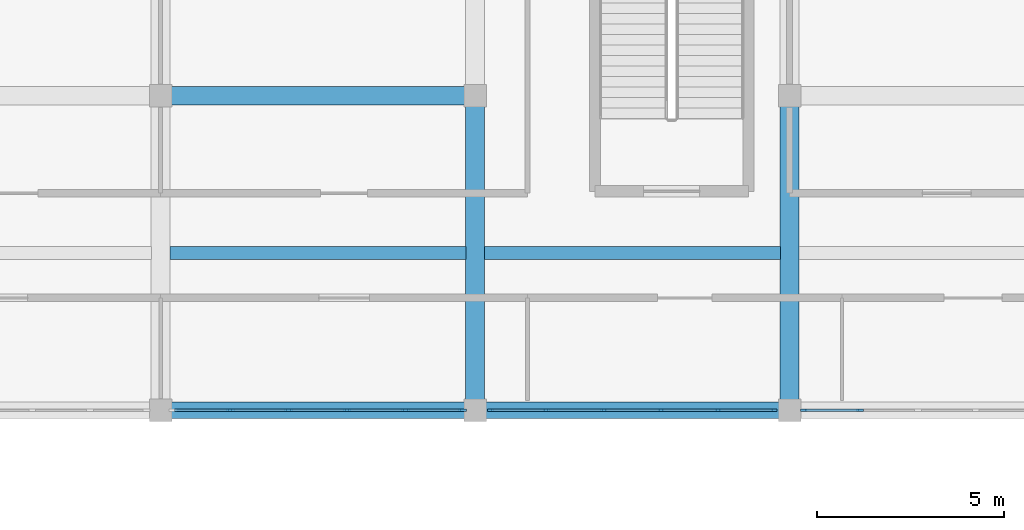
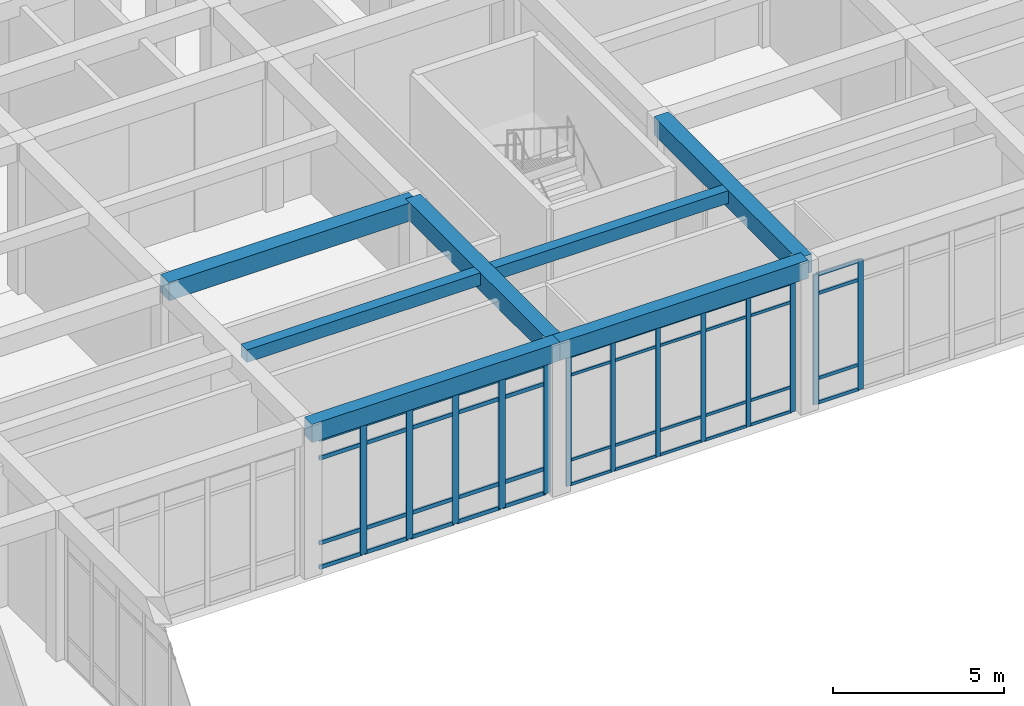
# One storey, part 36 of 89: 57 members, 7 beams, 3 elements without a shape of their own.
"""IFC4 building model written with IfcOpenShell, lengths in metres."""

import ifcopenshell
import ifcopenshell.guid

model = None  # the IFC model being written
_history = None  # IfcOwnerHistory: only IFC2X3 demands one
_inside = {}  # id of a spatial element -> (the spatial element, [elements in it])
_under = {}  # id of a project, library or spatial element -> (it, [spatial elements below it])
_declared = {}  # id of a project -> (the project, [libraries it declares])
_typed = {}  # id of a type object -> (the type object, [elements of that type])
_made_of = {}  # id of a material, layer set ... -> (it, [elements and type objects made of it])


def new_model(schema):
    """Start an empty IFC model of exactly this schema.

    Asked for "IFC4X3", IfcOpenShell would pick the latest addendum, in which some entities
    have other attributes; the version numbers below select the first issue.
    IFC2X3 requires an IfcOwnerHistory on every rooted entity: one is made here for all.
    """
    global model, _history
    if schema == "IFC4X3":
        model = ifcopenshell.file(schema_version=(4, 3, 0, 0))
    else:
        model = ifcopenshell.file(schema=schema)
    _inside.clear()
    _under.clear()
    _declared.clear()
    _typed.clear()
    _made_of.clear()
    _history = None
    if model.schema == "IFC2X3":
        org = make("IfcOrganization", Name="unknown")
        user = make(
            "IfcPersonAndOrganization",
            ThePerson=make("IfcPerson", FamilyName="unknown"),
            TheOrganization=org,
        )
        app = make(
            "IfcApplication",
            ApplicationDeveloper=org,
            Version="unknown",
            ApplicationFullName="unknown",
            ApplicationIdentifier="unknown",
        )
        _history = make(
            "IfcOwnerHistory",
            OwningUser=user,
            OwningApplication=app,
            ChangeAction="ADDED",
            CreationDate=0,
        )
    return model


def make(cls, **values):
    """One entity of the class cls with the attributes given. An attribute that is None is left unset."""
    return model.create_entity(
        cls, **{name: value for name, value in values.items() if value is not None}
    )


def rooted(cls, **values):
    """An entity with a GlobalId (a new one), such as an element, a storey or a relation."""
    return make(cls, GlobalId=ifcopenshell.guid.new(), OwnerHistory=_history, **values)


def si_unit(unit_type, name, prefix=None):
    """IfcSIUnit, for example si_unit("LENGTHUNIT", "METRE", prefix="MILLI")."""
    return make("IfcSIUnit", UnitType=unit_type, Prefix=prefix, Name=name)


def assignment(units):
    """IfcUnitAssignment: the units of a project."""
    return None if units is None else make("IfcUnitAssignment", Units=units)


def point(xyz):
    """IfcCartesianPoint."""
    return None if xyz is None else make("IfcCartesianPoint", Coordinates=xyz)


def direction(xyz):
    """IfcDirection."""
    return None if xyz is None else make("IfcDirection", DirectionRatios=xyz)


def frame(location, z_axis=None, x_axis=None):
    """IfcAxis2Placement3D, a coordinate frame: its origin and axes. An axis left out is left unset."""
    return make(
        "IfcAxis2Placement3D",
        Location=point(location),
        Axis=direction(z_axis),
        RefDirection=direction(x_axis),
    )


def frame_2d(location, x_axis=None):
    """IfcAxis2Placement2D, a coordinate frame in the plane: its origin and x axis."""
    return make(
        "IfcAxis2Placement2D", Location=point(location), RefDirection=direction(x_axis)
    )


def origin():
    """The frame at (0, 0, 0) with its axes left unset."""
    return frame((0.0, 0.0, 0.0))


def origin_2d():
    """The frame at (0, 0) in the plane with its x axis left unset."""
    return frame_2d((0.0, 0.0))


def place(relative_to, where):
    """IfcLocalPlacement: puts the frame where relative to a parent placement (None: the world)."""
    return make(
        "IfcLocalPlacement", PlacementRelTo=relative_to, RelativePlacement=where
    )


def context(
    kind, dimensions, precision=None, world=None, true_north=None, identifier=None
):
    """IfcGeometricRepresentationContext, for example the 3D "Model" context."""
    return make(
        "IfcGeometricRepresentationContext",
        ContextIdentifier=identifier,
        ContextType=kind,
        CoordinateSpaceDimension=dimensions,
        Precision=precision,
        WorldCoordinateSystem=world,
        TrueNorth=true_north,
    )


def subcontext(parent, identifier, kind, view, scale=None):
    """IfcGeometricRepresentationSubContext, for example "Body" below "Model"."""
    return make(
        "IfcGeometricRepresentationSubContext",
        ContextIdentifier=identifier,
        ContextType=kind,
        ParentContext=parent,
        TargetScale=scale,
        TargetView=view,
    )


def project(units=None, contexts=None):
    """IfcProject with its units and contexts."""
    return rooted(
        "IfcProject",
        Name="project",
        RepresentationContexts=contexts,
        UnitsInContext=assignment(units),
    )


def spatial(cls, under=None, at=None, **own):
    """A site, building, storey or space (cls), placed at a placement, below another one or the project."""
    s = rooted(cls, ObjectPlacement=at, **own)
    if under is not None:
        _under.setdefault(under.id(), (under, []))[1].append(s)
    return s


def profile(cls, at=None, kind="AREA", **sizes):
    """A parametric profile (cls). Its sizes go by their IFC names, for example OverallWidth=200.0."""
    return make(cls, ProfileType=kind, Position=at, **sizes)


def rectangle(**sizes):
    """IfcRectangleProfileDef."""
    return profile("IfcRectangleProfileDef", **sizes)


def extrude(swept, where, along, depth):
    """IfcExtrudedAreaSolid: the profile swept, set in the frame where, extruded along a direction by depth."""
    return make(
        "IfcExtrudedAreaSolid",
        SweptArea=swept,
        Position=where,
        ExtrudedDirection=direction(along),
        Depth=depth,
    )


def shape(context_of_items, identifier, shape_type, items):
    """IfcShapeRepresentation: the items that make up one representation, for example the "Body"."""
    return make(
        "IfcShapeRepresentation",
        ContextOfItems=context_of_items,
        RepresentationIdentifier=identifier,
        RepresentationType=shape_type,
        Items=items,
    )


def material(Name=None, Category=None):
    """IfcMaterial."""
    return make("IfcMaterial", Name=Name, Category=Category)


def material_profile(
    of_material, cross_section, Name=None, Category=None, Priority=None
):
    """IfcMaterialProfile: a cross section and its material."""
    return make(
        "IfcMaterialProfile",
        Name=Name,
        Material=of_material,
        Profile=cross_section,
        Priority=Priority,
        Category=Category,
    )


def profile_set(profiles, Name=None, composite=None):
    """IfcMaterialProfileSet."""
    return make(
        "IfcMaterialProfileSet",
        Name=Name,
        MaterialProfiles=profiles,
        CompositeProfile=composite,
    )


def made_of(thing, what):
    """Note that an element or type object is made of a material, layer set ...; save() writes the relation."""
    if what is not None:
        _made_of.setdefault(what.id(), (what, []))[1].append(thing)
    return thing


def type_object(cls, material=None, **own):
    """A type object (cls), such as IfcWallType, which elements share."""
    return made_of(rooted(cls, **own), material)


def element(
    cls,
    number,
    at=None,
    inside=None,
    cuts=None,
    type_object=None,
    material=None,
    context=None,
    identifier="Body",
    shape_type=None,
    held_by="IfcProductDefinitionShape",
    body=None,
    shapes=None,
    **own,
):
    """One element of the class cls, such as IfcWall. Its Tag is "e" and its number.

    at: its placement. inside: the storey or other place that contains it. cuts: it is an
    opening in that element (IfcRelVoidsElement). A single representation is given by context,
    identifier, shape_type and body (its items); several are given by shapes. held_by: the class
    of the entity that holds the representations. save() writes the other relations.
    """
    e = rooted(cls, Tag="e%d" % number, ObjectPlacement=at, **own)
    if body is not None:
        shapes = [shape(context, identifier, shape_type, body)]
    if shapes is not None:
        e.Representation = make(held_by, Representations=shapes)
    if inside is not None:
        _inside.setdefault(inside.id(), (inside, []))[1].append(e)
    if cuts is not None:
        rooted(
            "IfcRelVoidsElement", RelatingBuildingElement=cuts, RelatedOpeningElement=e
        )
    if type_object is not None:
        _typed.setdefault(type_object.id(), (type_object, []))[1].append(e)
    return made_of(e, material)


def aggregate(whole, parts):
    """IfcRelAggregates: a whole, such as a stair, and the parts it consists of."""
    return rooted("IfcRelAggregates", RelatingObject=whole, RelatedObjects=parts)


def save(model, path):
    """Write the relations noted so far, then the file.

    IfcRelAggregates (storeys below a building ...), IfcRelContainedInSpatialStructure (elements
    in a storey), IfcRelDefinesByType, IfcRelAssociatesMaterial and IfcRelDeclares: one each for
    every whole, place, type object, material and project.
    """
    for whole, parts in _under.values():
        aggregate(whole, parts)
    for where, things in _inside.values():
        rooted(
            "IfcRelContainedInSpatialStructure",
            RelatedElements=things,
            RelatingStructure=where,
        )
    for kind, things in _typed.values():
        rooted("IfcRelDefinesByType", RelatedObjects=things, RelatingType=kind)
    for what, things in _made_of.values():
        rooted("IfcRelAssociatesMaterial", RelatedObjects=things, RelatingMaterial=what)
    for by, libraries in _declared.values():
        rooted("IfcRelDeclares", RelatingContext=by, RelatedDefinitions=libraries)
    model.write(path)


model = new_model("IFC4")

# Units and contexts
model_context = context("Model", 3, precision=1e-05, world=origin(), true_north=direction((0.0, 1.0)))
body_context = subcontext(model_context, "Body", "Model", "MODEL_VIEW")
ifc_project = project(units=[si_unit("LENGTHUNIT", "METRE"), si_unit("AREAUNIT", "SQUARE_METRE"), si_unit("VOLUMEUNIT", "CUBIC_METRE"), si_unit("PLANEANGLEUNIT", "RADIAN"), si_unit("MASSUNIT", "GRAM", prefix="KILO")], contexts=[model_context])

# Site, building, storey
site_placement = place(None, origin())
site = spatial("IfcSite", under=ifc_project, at=site_placement, CompositionType="ELEMENT")
building_placement = place(site_placement, origin())
building = spatial("IfcBuilding", under=site, at=building_placement, Name="Varncliffe General Hospital", CompositionType="ELEMENT")
storey_placement = place(building_placement, frame((0.0, 0.0, 10.800048828125)))
storey = spatial("IfcBuildingStorey", under=building, at=storey_placement, Name="L02", CompositionType="ELEMENT", Elevation=10.800048828125)

# Beams
ifc_material_1 = material(Name="Concrete C35/45 (CSA A23.1 35 MPa)", Category="concrete")
ifc_material_profile_1 = material_profile(ifc_material_1, rectangle(XDim=0.5, YDim=0.64990234375, at=origin_2d()), Name="RC 500x650")
ifc_profile_set_1 = profile_set([ifc_material_profile_1], Name="Concrete C35/45 (CSA A23.1 35 MPa)")
beam_type_1 = type_object("IfcBeamType", Name="Beam B29 (Int RC 500x650)", PredefinedType="BEAM", material=ifc_profile_set_1)
for number, where, z_axis, x_axis, name in (
    (1, (126.0, 91.199951171875, 5.074951171875), (1.0, 0.0, 0.0), (0.0, 1.0, 0.0), "L02 Primary Beam B29-126"),
    (2, (134.39990234375, 82.800048828125, 5.074951171875), (0.0, 1.0, 0.0), (-1.0, 0.0, 0.0), "L02 Primary Beam B29-413"),
    (3, (142.800048828125, 82.800048828125, 5.074951171875), (0.0, 1.0, 0.0), (-1.0, 0.0, 0.0), "L02 Primary Beam B29-422"),
):
    element("IfcBeam", number, at=place(storey_placement, frame(where, z_axis=z_axis, x_axis=x_axis)), inside=storey, type_object=beam_type_1, Name=name, PredefinedType="BEAM", context=body_context, shape_type="SweptSolid", body=[
        extrude(rectangle(XDim=0.5, YDim=0.64990234375, at=origin_2d()), origin(), (0.0, 0.0, 1.0), 8.39990234375),
    ])

# Curtain wall, members
ifc_material_2 = material(Name="Triple low-E argon insulated vision glazing", Category="glass")
curtain_wall_type_1 = type_object("IfcCurtainWallType", Name="Unitised Glazed Curtain Wall CW70 (7724x4640)", PredefinedType="USERDEFINED", material=ifc_material_2)
curtain_wall_1_placement = place(storey_placement, origin())
curtain_wall_1 = element("IfcCurtainWall", 4, at=curtain_wall_1_placement, inside=storey, type_object=curtain_wall_type_1, Name="L02 Glazed Curtain Wall CW70-127", ObjectType="GLAZED CURTAIN WALL", PredefinedType="USERDEFINED")
ifc_material_3 = material(Name="Dark bronze thermally broken aluminium framing", Category="aluminium")
ifc_material_profile_2 = material_profile(ifc_material_3, rectangle(XDim=0.074951171875, YDim=0.179931640625, at=origin_2d()), Name="ALU 75x180")
ifc_profile_set_2 = profile_set([ifc_material_profile_2], Name="Dark bronze thermally broken aluminium framing")
member_type_1 = type_object("IfcMemberType", Name="Curtain Wall Mullion CM44 (ALU 75x180)", PredefinedType="MULLION", material=ifc_profile_set_2)
member_1_placement = place(storey_placement, frame((144.682861328125, 82.800048828125, 0.0), z_axis=(0.0, 0.0, 1.0), x_axis=(0.0, -1.0, 0.0)))
member_1 = element("IfcMember", 5, at=member_1_placement, type_object=member_type_1, Name="CW70 mullion 5", PredefinedType="MULLION", context=body_context, shape_type="SweptSolid", body=[
    extrude(rectangle(XDim=0.074951171875, YDim=0.179931640625, at=origin_2d()), origin(), (0.0, 0.0, 1.0), 4.639892578125),
])
member_2_placement = place(storey_placement, frame((143.175537109375, 82.800048828125, 0.0), z_axis=(0.0, 0.0, 1.0), x_axis=(0.0, -1.0, 0.0)))
member_2 = element("IfcMember", 6, at=member_2_placement, type_object=member_type_1, Name="CW70 mullion 6", PredefinedType="MULLION", context=body_context, shape_type="SweptSolid", body=[
    extrude(rectangle(XDim=0.074951171875, YDim=0.179931640625, at=origin_2d()), origin(), (0.0, 0.0, 1.0), 4.639892578125),
])

curtain_wall_type_2 = type_object("IfcCurtainWallType", Name="Unitised Glazed Curtain Wall CW27 (7644x4640)", PredefinedType="USERDEFINED", material=ifc_material_2)
curtain_wall_2_placement = place(storey_placement, origin())
curtain_wall_2 = element("IfcCurtainWall", 7, at=curtain_wall_2_placement, inside=storey, type_object=curtain_wall_type_2, Name="L02 Glazed Curtain Wall CW27-128", ObjectType="GLAZED CURTAIN WALL", PredefinedType="USERDEFINED")
ifc_material_profile_3 = material_profile(ifc_material_3, rectangle(XDim=0.06494140625, YDim=0.159912109375, at=origin_2d()), Name="ALU 65x160")
ifc_profile_set_3 = profile_set([ifc_material_profile_3], Name="Dark bronze thermally broken aluminium framing")
member_type_2 = type_object("IfcMemberType", Name="Curtain Wall Mullion CM65 (ALU 65x160)", PredefinedType="MULLION", material=ifc_profile_set_3)
member_3_placement = place(storey_placement, frame((142.389404296875, 82.800048828125, 0.0), z_axis=(0.0, 0.0, 1.0), x_axis=(0.0, -1.0, 0.0)))
member_3 = element("IfcMember", 8, at=member_3_placement, type_object=member_type_2, Name="CW27 mullion 1", PredefinedType="MULLION", context=body_context, shape_type="SweptSolid", body=[
    extrude(rectangle(XDim=0.06494140625, YDim=0.159912109375, at=origin_2d()), origin(), (0.0, 0.0, 1.0), 4.639892578125),
])
member_4_placement = place(storey_placement, frame((140.893310546875, 82.800048828125, 0.0), z_axis=(0.0, 0.0, 1.0), x_axis=(0.0, -1.0, 0.0)))
member_4 = element("IfcMember", 9, at=member_4_placement, type_object=member_type_2, Name="CW27 mullion 2", PredefinedType="MULLION", context=body_context, shape_type="SweptSolid", body=[
    extrude(rectangle(XDim=0.06494140625, YDim=0.159912109375, at=origin_2d()), origin(), (0.0, 0.0, 1.0), 4.639892578125),
])
member_5_placement = place(storey_placement, frame((139.364501953125, 82.800048828125, 0.0), z_axis=(0.0, 0.0, 1.0), x_axis=(0.0, -1.0, 0.0)))
member_5 = element("IfcMember", 10, at=member_5_placement, type_object=member_type_2, Name="CW27 mullion 3", PredefinedType="MULLION", context=body_context, shape_type="SweptSolid", body=[
    extrude(rectangle(XDim=0.06494140625, YDim=0.159912109375, at=origin_2d()), origin(), (0.0, 0.0, 1.0), 4.639892578125),
])
member_6_placement = place(storey_placement, frame((137.835693359375, 82.800048828125, 0.0), z_axis=(0.0, 0.0, 1.0), x_axis=(0.0, -1.0, 0.0)))
member_6 = element("IfcMember", 11, at=member_6_placement, type_object=member_type_2, Name="CW27 mullion 4", PredefinedType="MULLION", context=body_context, shape_type="SweptSolid", body=[
    extrude(rectangle(XDim=0.06494140625, YDim=0.159912109375, at=origin_2d()), origin(), (0.0, 0.0, 1.0), 4.639892578125),
])
member_7_placement = place(storey_placement, frame((136.306884765625, 82.800048828125, 0.0), z_axis=(0.0, 0.0, 1.0), x_axis=(0.0, -1.0, 0.0)))
member_7 = element("IfcMember", 12, at=member_7_placement, type_object=member_type_2, Name="CW27 mullion 5", PredefinedType="MULLION", context=body_context, shape_type="SweptSolid", body=[
    extrude(rectangle(XDim=0.06494140625, YDim=0.159912109375, at=origin_2d()), origin(), (0.0, 0.0, 1.0), 4.639892578125),
])
member_8_placement = place(storey_placement, frame((134.810546875, 82.800048828125, 0.0), z_axis=(0.0, 0.0, 1.0), x_axis=(0.0, -1.0, 0.0)))
member_8 = element("IfcMember", 13, at=member_8_placement, type_object=member_type_2, Name="CW27 mullion 6", PredefinedType="MULLION", context=body_context, shape_type="SweptSolid", body=[
    extrude(rectangle(XDim=0.06494140625, YDim=0.159912109375, at=origin_2d()), origin(), (0.0, 0.0, 1.0), 4.639892578125),
])

curtain_wall_type_3 = type_object("IfcCurtainWallType", Name="Unitised Glazed Curtain Wall CW85 (7804x4640)", PredefinedType="USERDEFINED", material=ifc_material_2)
curtain_wall_3_placement = place(storey_placement, origin())
curtain_wall_3 = element("IfcCurtainWall", 14, at=curtain_wall_3_placement, inside=storey, type_object=curtain_wall_type_3, Name="L02 Glazed Curtain Wall CW85-129", ObjectType="GLAZED CURTAIN WALL", PredefinedType="USERDEFINED")
ifc_material_profile_4 = material_profile(ifc_material_3, rectangle(XDim=0.074951171875, YDim=0.219970703125, at=origin_2d()), Name="ALU 75x220")
ifc_profile_set_4 = profile_set([ifc_material_profile_4], Name="Dark bronze thermally broken aluminium framing")
member_type_3 = type_object("IfcMemberType", Name="Curtain Wall Mullion CM74 (ALU 75x220)", PredefinedType="MULLION", material=ifc_profile_set_4)
member_9_placement = place(storey_placement, frame((134.064453125, 82.800048828125, 0.0), z_axis=(0.0, 0.0, 1.0), x_axis=(0.0, -1.0, 0.0)))
member_9 = element("IfcMember", 15, at=member_9_placement, type_object=member_type_3, Name="CW85 mullion 1", PredefinedType="MULLION", context=body_context, shape_type="SweptSolid", body=[
    extrude(rectangle(XDim=0.074951171875, YDim=0.219970703125, at=origin_2d()), origin(), (0.0, 0.0, 1.0), 4.639892578125),
])
member_10_placement = place(storey_placement, frame((132.541259765625, 82.800048828125, 0.0), z_axis=(0.0, 0.0, 1.0), x_axis=(0.0, -1.0, 0.0)))
member_10 = element("IfcMember", 16, at=member_10_placement, type_object=member_type_3, Name="CW85 mullion 2", PredefinedType="MULLION", context=body_context, shape_type="SweptSolid", body=[
    extrude(rectangle(XDim=0.074951171875, YDim=0.219970703125, at=origin_2d()), origin(), (0.0, 0.0, 1.0), 4.639892578125),
])
member_11_placement = place(storey_placement, frame((130.98046875, 82.800048828125, 0.0), z_axis=(0.0, 0.0, 1.0), x_axis=(0.0, -1.0, 0.0)))
member_11 = element("IfcMember", 17, at=member_11_placement, type_object=member_type_3, Name="CW85 mullion 3", PredefinedType="MULLION", context=body_context, shape_type="SweptSolid", body=[
    extrude(rectangle(XDim=0.074951171875, YDim=0.219970703125, at=origin_2d()), origin(), (0.0, 0.0, 1.0), 4.639892578125),
])
member_12_placement = place(storey_placement, frame((129.419677734375, 82.800048828125, 0.0), z_axis=(0.0, 0.0, 1.0), x_axis=(0.0, -1.0, 0.0)))
member_12 = element("IfcMember", 18, at=member_12_placement, type_object=member_type_3, Name="CW85 mullion 4", PredefinedType="MULLION", context=body_context, shape_type="SweptSolid", body=[
    extrude(rectangle(XDim=0.074951171875, YDim=0.219970703125, at=origin_2d()), origin(), (0.0, 0.0, 1.0), 4.639892578125),
])
member_13_placement = place(storey_placement, frame((127.85888671875, 82.800048828125, 0.0), z_axis=(0.0, 0.0, 1.0), x_axis=(0.0, -1.0, 0.0)))
member_13 = element("IfcMember", 19, at=member_13_placement, type_object=member_type_3, Name="CW85 mullion 5", PredefinedType="MULLION", context=body_context, shape_type="SweptSolid", body=[
    extrude(rectangle(XDim=0.074951171875, YDim=0.219970703125, at=origin_2d()), origin(), (0.0, 0.0, 1.0), 4.639892578125),
])

# Member
ifc_material_profile_5 = material_profile(ifc_material_3, rectangle(XDim=0.06005859375, YDim=0.1201171875, at=origin_2d()), Name="ALU 60x120")
ifc_profile_set_5 = profile_set([ifc_material_profile_5], Name="Dark bronze thermally broken aluminium framing")
member_type_4 = type_object("IfcMemberType", Name="Curtain Wall Transom CT14 (ALU 60x120)", PredefinedType="USERDEFINED", material=ifc_profile_set_5)
member_14_placement = place(storey_placement, frame((144.645263671875, 82.800048828125, 0.030029296875), z_axis=(-1.0, 0.0, 0.0), x_axis=(0.0, -1.0, 0.0)))
member_14 = element("IfcMember", 20, at=member_14_placement, type_object=member_type_4, Name="CW70 transom 5.1", ObjectType="TRANSOM", PredefinedType="USERDEFINED", context=body_context, shape_type="SweptSolid", body=[
    extrude(rectangle(XDim=0.06005859375, YDim=0.1201171875, at=origin_2d()), origin(), (0.0, 0.0, 1.0), 1.432373046875),
])

member_15_placement = place(storey_placement, frame((144.645263671875, 82.800048828125, 0.89990234375), z_axis=(-1.0, 0.0, 0.0), x_axis=(0.0, -1.0, 0.0)))
member_15 = element("IfcMember", 21, at=member_15_placement, type_object=member_type_4, Name="CW70 transom 5.2", ObjectType="TRANSOM", PredefinedType="USERDEFINED", context=body_context, shape_type="SweptSolid", body=[
    extrude(rectangle(XDim=0.06005859375, YDim=0.1201171875, at=origin_2d()), origin(), (0.0, 0.0, 1.0), 1.432373046875),
])

member_16_placement = place(storey_placement, frame((144.645263671875, 82.800048828125, 3.93994140625), z_axis=(-1.0, 0.0, 0.0), x_axis=(0.0, -1.0, 0.0)))
member_16 = element("IfcMember", 22, at=member_16_placement, type_object=member_type_4, Name="CW70 transom 5.3", ObjectType="TRANSOM", PredefinedType="USERDEFINED", context=body_context, shape_type="SweptSolid", body=[
    extrude(rectangle(XDim=0.06005859375, YDim=0.1201171875, at=origin_2d()), origin(), (0.0, 0.0, 1.0), 1.432373046875),
])

member_17_placement = place(storey_placement, frame((144.645263671875, 82.800048828125, 4.60986328125), z_axis=(-1.0, 0.0, 0.0), x_axis=(0.0, -1.0, 0.0)))
member_17 = element("IfcMember", 23, at=member_17_placement, type_object=member_type_4, Name="CW70 transom 5.4", ObjectType="TRANSOM", PredefinedType="USERDEFINED", context=body_context, shape_type="SweptSolid", body=[
    extrude(rectangle(XDim=0.06005859375, YDim=0.1201171875, at=origin_2d()), origin(), (0.0, 0.0, 1.0), 1.432373046875),
])

aggregate(curtain_wall_1, [member_1, member_2, member_14, member_15, member_16, member_17])

ifc_material_profile_6 = material_profile(ifc_material_3, rectangle(XDim=0.06005859375, YDim=0.10009765625, at=origin_2d()), Name="ALU 60x100")
ifc_profile_set_6 = profile_set([ifc_material_profile_6], Name="Dark bronze thermally broken aluminium framing")
member_type_5 = type_object("IfcMemberType", Name="Curtain Wall Transom CT18 (ALU 60x100)", PredefinedType="USERDEFINED", material=ifc_profile_set_6)
member_18_placement = place(storey_placement, frame((142.35693359375, 82.800048828125, 0.030029296875), z_axis=(-1.0, 0.0, 0.0), x_axis=(0.0, -1.0, 0.0)))
member_18 = element("IfcMember", 24, at=member_18_placement, type_object=member_type_5, Name="CW27 transom 1.1", ObjectType="TRANSOM", PredefinedType="USERDEFINED", context=body_context, shape_type="SweptSolid", body=[
    extrude(rectangle(XDim=0.06005859375, YDim=0.10009765625, at=origin_2d()), origin(), (0.0, 0.0, 1.0), 1.43115234375),
])

member_19_placement = place(storey_placement, frame((142.35693359375, 82.800048828125, 0.89990234375), z_axis=(-1.0, 0.0, 0.0), x_axis=(0.0, -1.0, 0.0)))
member_19 = element("IfcMember", 25, at=member_19_placement, type_object=member_type_5, Name="CW27 transom 1.2", ObjectType="TRANSOM", PredefinedType="USERDEFINED", context=body_context, shape_type="SweptSolid", body=[
    extrude(rectangle(XDim=0.06005859375, YDim=0.10009765625, at=origin_2d()), origin(), (0.0, 0.0, 1.0), 1.43115234375),
])

member_20_placement = place(storey_placement, frame((142.35693359375, 82.800048828125, 3.93994140625), z_axis=(-1.0, 0.0, 0.0), x_axis=(0.0, -1.0, 0.0)))
member_20 = element("IfcMember", 26, at=member_20_placement, type_object=member_type_5, Name="CW27 transom 1.3", ObjectType="TRANSOM", PredefinedType="USERDEFINED", context=body_context, shape_type="SweptSolid", body=[
    extrude(rectangle(XDim=0.06005859375, YDim=0.10009765625, at=origin_2d()), origin(), (0.0, 0.0, 1.0), 1.43115234375),
])

member_21_placement = place(storey_placement, frame((142.35693359375, 82.800048828125, 4.60986328125), z_axis=(-1.0, 0.0, 0.0), x_axis=(0.0, -1.0, 0.0)))
member_21 = element("IfcMember", 27, at=member_21_placement, type_object=member_type_5, Name="CW27 transom 1.4", ObjectType="TRANSOM", PredefinedType="USERDEFINED", context=body_context, shape_type="SweptSolid", body=[
    extrude(rectangle(XDim=0.06005859375, YDim=0.10009765625, at=origin_2d()), origin(), (0.0, 0.0, 1.0), 1.43115234375),
])

member_22_placement = place(storey_placement, frame((140.860595703125, 82.800048828125, 0.030029296875), z_axis=(-1.0, 0.0, 0.0), x_axis=(0.0, -1.0, 0.0)))
member_22 = element("IfcMember", 28, at=member_22_placement, type_object=member_type_5, Name="CW27 transom 2.1", ObjectType="TRANSOM", PredefinedType="USERDEFINED", context=body_context, shape_type="SweptSolid", body=[
    extrude(rectangle(XDim=0.06005859375, YDim=0.10009765625, at=origin_2d()), origin(), (0.0, 0.0, 1.0), 1.463623046875),
])

member_23_placement = place(storey_placement, frame((140.860595703125, 82.800048828125, 0.89990234375), z_axis=(-1.0, 0.0, 0.0), x_axis=(0.0, -1.0, 0.0)))
member_23 = element("IfcMember", 29, at=member_23_placement, type_object=member_type_5, Name="CW27 transom 2.2", ObjectType="TRANSOM", PredefinedType="USERDEFINED", context=body_context, shape_type="SweptSolid", body=[
    extrude(rectangle(XDim=0.06005859375, YDim=0.10009765625, at=origin_2d()), origin(), (0.0, 0.0, 1.0), 1.463623046875),
])

member_24_placement = place(storey_placement, frame((140.860595703125, 82.800048828125, 3.93994140625), z_axis=(-1.0, 0.0, 0.0), x_axis=(0.0, -1.0, 0.0)))
member_24 = element("IfcMember", 30, at=member_24_placement, type_object=member_type_5, Name="CW27 transom 2.3", ObjectType="TRANSOM", PredefinedType="USERDEFINED", context=body_context, shape_type="SweptSolid", body=[
    extrude(rectangle(XDim=0.06005859375, YDim=0.10009765625, at=origin_2d()), origin(), (0.0, 0.0, 1.0), 1.463623046875),
])

member_25_placement = place(storey_placement, frame((140.860595703125, 82.800048828125, 4.60986328125), z_axis=(-1.0, 0.0, 0.0), x_axis=(0.0, -1.0, 0.0)))
member_25 = element("IfcMember", 31, at=member_25_placement, type_object=member_type_5, Name="CW27 transom 2.4", ObjectType="TRANSOM", PredefinedType="USERDEFINED", context=body_context, shape_type="SweptSolid", body=[
    extrude(rectangle(XDim=0.06005859375, YDim=0.10009765625, at=origin_2d()), origin(), (0.0, 0.0, 1.0), 1.463623046875),
])

member_26_placement = place(storey_placement, frame((139.331787109375, 82.800048828125, 0.030029296875), z_axis=(-1.0, 0.0, 0.0), x_axis=(0.0, -1.0, 0.0)))
member_26 = element("IfcMember", 32, at=member_26_placement, type_object=member_type_5, Name="CW27 transom 3.1", ObjectType="TRANSOM", PredefinedType="USERDEFINED", context=body_context, shape_type="SweptSolid", body=[
    extrude(rectangle(XDim=0.06005859375, YDim=0.10009765625, at=origin_2d()), origin(), (0.0, 0.0, 1.0), 1.463623046875),
])

member_27_placement = place(storey_placement, frame((139.331787109375, 82.800048828125, 0.89990234375), z_axis=(-1.0, 0.0, 0.0), x_axis=(0.0, -1.0, 0.0)))
member_27 = element("IfcMember", 33, at=member_27_placement, type_object=member_type_5, Name="CW27 transom 3.2", ObjectType="TRANSOM", PredefinedType="USERDEFINED", context=body_context, shape_type="SweptSolid", body=[
    extrude(rectangle(XDim=0.06005859375, YDim=0.10009765625, at=origin_2d()), origin(), (0.0, 0.0, 1.0), 1.463623046875),
])

member_28_placement = place(storey_placement, frame((139.331787109375, 82.800048828125, 3.93994140625), z_axis=(-1.0, 0.0, 0.0), x_axis=(0.0, -1.0, 0.0)))
member_28 = element("IfcMember", 34, at=member_28_placement, type_object=member_type_5, Name="CW27 transom 3.3", ObjectType="TRANSOM", PredefinedType="USERDEFINED", context=body_context, shape_type="SweptSolid", body=[
    extrude(rectangle(XDim=0.06005859375, YDim=0.10009765625, at=origin_2d()), origin(), (0.0, 0.0, 1.0), 1.463623046875),
])

member_29_placement = place(storey_placement, frame((139.331787109375, 82.800048828125, 4.60986328125), z_axis=(-1.0, 0.0, 0.0), x_axis=(0.0, -1.0, 0.0)))
member_29 = element("IfcMember", 35, at=member_29_placement, type_object=member_type_5, Name="CW27 transom 3.4", ObjectType="TRANSOM", PredefinedType="USERDEFINED", context=body_context, shape_type="SweptSolid", body=[
    extrude(rectangle(XDim=0.06005859375, YDim=0.10009765625, at=origin_2d()), origin(), (0.0, 0.0, 1.0), 1.463623046875),
])

member_30_placement = place(storey_placement, frame((137.802978515625, 82.800048828125, 0.030029296875), z_axis=(-1.0, 0.0, 0.0), x_axis=(0.0, -1.0, 0.0)))
member_30 = element("IfcMember", 36, at=member_30_placement, type_object=member_type_5, Name="CW27 transom 4.1", ObjectType="TRANSOM", PredefinedType="USERDEFINED", context=body_context, shape_type="SweptSolid", body=[
    extrude(rectangle(XDim=0.06005859375, YDim=0.10009765625, at=origin_2d()), origin(), (0.0, 0.0, 1.0), 1.463623046875),
])

member_31_placement = place(storey_placement, frame((137.802978515625, 82.800048828125, 0.89990234375), z_axis=(-1.0, 0.0, 0.0), x_axis=(0.0, -1.0, 0.0)))
member_31 = element("IfcMember", 37, at=member_31_placement, type_object=member_type_5, Name="CW27 transom 4.2", ObjectType="TRANSOM", PredefinedType="USERDEFINED", context=body_context, shape_type="SweptSolid", body=[
    extrude(rectangle(XDim=0.06005859375, YDim=0.10009765625, at=origin_2d()), origin(), (0.0, 0.0, 1.0), 1.463623046875),
])

member_32_placement = place(storey_placement, frame((137.802978515625, 82.800048828125, 3.93994140625), z_axis=(-1.0, 0.0, 0.0), x_axis=(0.0, -1.0, 0.0)))
member_32 = element("IfcMember", 38, at=member_32_placement, type_object=member_type_5, Name="CW27 transom 4.3", ObjectType="TRANSOM", PredefinedType="USERDEFINED", context=body_context, shape_type="SweptSolid", body=[
    extrude(rectangle(XDim=0.06005859375, YDim=0.10009765625, at=origin_2d()), origin(), (0.0, 0.0, 1.0), 1.463623046875),
])

member_33_placement = place(storey_placement, frame((137.802978515625, 82.800048828125, 4.60986328125), z_axis=(-1.0, 0.0, 0.0), x_axis=(0.0, -1.0, 0.0)))
member_33 = element("IfcMember", 39, at=member_33_placement, type_object=member_type_5, Name="CW27 transom 4.4", ObjectType="TRANSOM", PredefinedType="USERDEFINED", context=body_context, shape_type="SweptSolid", body=[
    extrude(rectangle(XDim=0.06005859375, YDim=0.10009765625, at=origin_2d()), origin(), (0.0, 0.0, 1.0), 1.463623046875),
])

member_34_placement = place(storey_placement, frame((136.2744140625, 82.800048828125, 0.030029296875), z_axis=(-1.0, 0.0, 0.0), x_axis=(0.0, -1.0, 0.0)))
member_34 = element("IfcMember", 40, at=member_34_placement, type_object=member_type_5, Name="CW27 transom 5.1", ObjectType="TRANSOM", PredefinedType="USERDEFINED", context=body_context, shape_type="SweptSolid", body=[
    extrude(rectangle(XDim=0.06005859375, YDim=0.10009765625, at=origin_2d()), origin(), (0.0, 0.0, 1.0), 1.431396484375),
])

member_35_placement = place(storey_placement, frame((136.2744140625, 82.800048828125, 0.89990234375), z_axis=(-1.0, 0.0, 0.0), x_axis=(0.0, -1.0, 0.0)))
member_35 = element("IfcMember", 41, at=member_35_placement, type_object=member_type_5, Name="CW27 transom 5.2", ObjectType="TRANSOM", PredefinedType="USERDEFINED", context=body_context, shape_type="SweptSolid", body=[
    extrude(rectangle(XDim=0.06005859375, YDim=0.10009765625, at=origin_2d()), origin(), (0.0, 0.0, 1.0), 1.431396484375),
])

member_36_placement = place(storey_placement, frame((136.2744140625, 82.800048828125, 3.93994140625), z_axis=(-1.0, 0.0, 0.0), x_axis=(0.0, -1.0, 0.0)))
member_36 = element("IfcMember", 42, at=member_36_placement, type_object=member_type_5, Name="CW27 transom 5.3", ObjectType="TRANSOM", PredefinedType="USERDEFINED", context=body_context, shape_type="SweptSolid", body=[
    extrude(rectangle(XDim=0.06005859375, YDim=0.10009765625, at=origin_2d()), origin(), (0.0, 0.0, 1.0), 1.431396484375),
])

member_37_placement = place(storey_placement, frame((136.2744140625, 82.800048828125, 4.60986328125), z_axis=(-1.0, 0.0, 0.0), x_axis=(0.0, -1.0, 0.0)))
member_37 = element("IfcMember", 43, at=member_37_placement, type_object=member_type_5, Name="CW27 transom 5.4", ObjectType="TRANSOM", PredefinedType="USERDEFINED", context=body_context, shape_type="SweptSolid", body=[
    extrude(rectangle(XDim=0.06005859375, YDim=0.10009765625, at=origin_2d()), origin(), (0.0, 0.0, 1.0), 1.431396484375),
])

aggregate(curtain_wall_2, [member_3, member_4, member_5, member_6, member_7, member_8, member_18, member_19, member_20, member_21, member_22, member_23, member_24, member_25, member_26, member_27, member_28, member_29, member_30, member_31, member_32, member_33, member_34, member_35, member_36, member_37])

ifc_material_profile_7 = material_profile(ifc_material_3, rectangle(XDim=0.06494140625, YDim=0.139892578125, at=origin_2d()), Name="ALU 65x140")
ifc_profile_set_7 = profile_set([ifc_material_profile_7], Name="Dark bronze thermally broken aluminium framing")
member_type_6 = type_object("IfcMemberType", Name="Curtain Wall Transom CT69 (ALU 65x140)", PredefinedType="USERDEFINED", material=ifc_profile_set_7)
member_38_placement = place(storey_placement, frame((134.027099609375, 82.800048828125, 0.032470703125), z_axis=(-1.0, 0.0, 0.0), x_axis=(0.0, -1.0, 0.0)))
member_38 = element("IfcMember", 44, at=member_38_placement, type_object=member_type_6, Name="CW85 transom 1.1", ObjectType="TRANSOM", PredefinedType="USERDEFINED", context=body_context, shape_type="SweptSolid", body=[
    extrude(rectangle(XDim=0.06494140625, YDim=0.139892578125, at=origin_2d()), origin(), (0.0, 0.0, 1.0), 1.448486328125),
])

member_39_placement = place(storey_placement, frame((134.027099609375, 82.800048828125, 0.89990234375), z_axis=(-1.0, 0.0, 0.0), x_axis=(0.0, -1.0, 0.0)))
member_39 = element("IfcMember", 45, at=member_39_placement, type_object=member_type_6, Name="CW85 transom 1.2", ObjectType="TRANSOM", PredefinedType="USERDEFINED", context=body_context, shape_type="SweptSolid", body=[
    extrude(rectangle(XDim=0.06494140625, YDim=0.139892578125, at=origin_2d()), origin(), (0.0, 0.0, 1.0), 1.448486328125),
])

member_40_placement = place(storey_placement, frame((134.027099609375, 82.800048828125, 3.93994140625), z_axis=(-1.0, 0.0, 0.0), x_axis=(0.0, -1.0, 0.0)))
member_40 = element("IfcMember", 46, at=member_40_placement, type_object=member_type_6, Name="CW85 transom 1.3", ObjectType="TRANSOM", PredefinedType="USERDEFINED", context=body_context, shape_type="SweptSolid", body=[
    extrude(rectangle(XDim=0.06494140625, YDim=0.139892578125, at=origin_2d()), origin(), (0.0, 0.0, 1.0), 1.448486328125),
])

member_41_placement = place(storey_placement, frame((134.027099609375, 82.800048828125, 4.607421875), z_axis=(-1.0, 0.0, 0.0), x_axis=(0.0, -1.0, 0.0)))
member_41 = element("IfcMember", 47, at=member_41_placement, type_object=member_type_6, Name="CW85 transom 1.4", ObjectType="TRANSOM", PredefinedType="USERDEFINED", context=body_context, shape_type="SweptSolid", body=[
    extrude(rectangle(XDim=0.06494140625, YDim=0.139892578125, at=origin_2d()), origin(), (0.0, 0.0, 1.0), 1.448486328125),
])

member_42_placement = place(storey_placement, frame((132.503662109375, 82.800048828125, 0.032470703125), z_axis=(-1.0, 0.0, 0.0), x_axis=(0.0, -1.0, 0.0)))
member_42 = element("IfcMember", 48, at=member_42_placement, type_object=member_type_6, Name="CW85 transom 2.1", ObjectType="TRANSOM", PredefinedType="USERDEFINED", context=body_context, shape_type="SweptSolid", body=[
    extrude(rectangle(XDim=0.06494140625, YDim=0.139892578125, at=origin_2d()), origin(), (0.0, 0.0, 1.0), 1.48583984375),
])

member_43_placement = place(storey_placement, frame((132.503662109375, 82.800048828125, 0.89990234375), z_axis=(-1.0, 0.0, 0.0), x_axis=(0.0, -1.0, 0.0)))
member_43 = element("IfcMember", 49, at=member_43_placement, type_object=member_type_6, Name="CW85 transom 2.2", ObjectType="TRANSOM", PredefinedType="USERDEFINED", context=body_context, shape_type="SweptSolid", body=[
    extrude(rectangle(XDim=0.06494140625, YDim=0.139892578125, at=origin_2d()), origin(), (0.0, 0.0, 1.0), 1.48583984375),
])

member_44_placement = place(storey_placement, frame((132.503662109375, 82.800048828125, 3.93994140625), z_axis=(-1.0, 0.0, 0.0), x_axis=(0.0, -1.0, 0.0)))
member_44 = element("IfcMember", 50, at=member_44_placement, type_object=member_type_6, Name="CW85 transom 2.3", ObjectType="TRANSOM", PredefinedType="USERDEFINED", context=body_context, shape_type="SweptSolid", body=[
    extrude(rectangle(XDim=0.06494140625, YDim=0.139892578125, at=origin_2d()), origin(), (0.0, 0.0, 1.0), 1.48583984375),
])

member_45_placement = place(storey_placement, frame((132.503662109375, 82.800048828125, 4.607421875), z_axis=(-1.0, 0.0, 0.0), x_axis=(0.0, -1.0, 0.0)))
member_45 = element("IfcMember", 51, at=member_45_placement, type_object=member_type_6, Name="CW85 transom 2.4", ObjectType="TRANSOM", PredefinedType="USERDEFINED", context=body_context, shape_type="SweptSolid", body=[
    extrude(rectangle(XDim=0.06494140625, YDim=0.139892578125, at=origin_2d()), origin(), (0.0, 0.0, 1.0), 1.48583984375),
])

member_46_placement = place(storey_placement, frame((130.94287109375, 82.800048828125, 0.032470703125), z_axis=(-1.0, 0.0, 0.0), x_axis=(0.0, -1.0, 0.0)))
member_46 = element("IfcMember", 52, at=member_46_placement, type_object=member_type_6, Name="CW85 transom 3.1", ObjectType="TRANSOM", PredefinedType="USERDEFINED", context=body_context, shape_type="SweptSolid", body=[
    extrude(rectangle(XDim=0.06494140625, YDim=0.139892578125, at=origin_2d()), origin(), (0.0, 0.0, 1.0), 1.48583984375),
])

member_47_placement = place(storey_placement, frame((130.94287109375, 82.800048828125, 0.89990234375), z_axis=(-1.0, 0.0, 0.0), x_axis=(0.0, -1.0, 0.0)))
member_47 = element("IfcMember", 53, at=member_47_placement, type_object=member_type_6, Name="CW85 transom 3.2", ObjectType="TRANSOM", PredefinedType="USERDEFINED", context=body_context, shape_type="SweptSolid", body=[
    extrude(rectangle(XDim=0.06494140625, YDim=0.139892578125, at=origin_2d()), origin(), (0.0, 0.0, 1.0), 1.48583984375),
])

member_48_placement = place(storey_placement, frame((130.94287109375, 82.800048828125, 3.93994140625), z_axis=(-1.0, 0.0, 0.0), x_axis=(0.0, -1.0, 0.0)))
member_48 = element("IfcMember", 54, at=member_48_placement, type_object=member_type_6, Name="CW85 transom 3.3", ObjectType="TRANSOM", PredefinedType="USERDEFINED", context=body_context, shape_type="SweptSolid", body=[
    extrude(rectangle(XDim=0.06494140625, YDim=0.139892578125, at=origin_2d()), origin(), (0.0, 0.0, 1.0), 1.48583984375),
])

member_49_placement = place(storey_placement, frame((130.94287109375, 82.800048828125, 4.607421875), z_axis=(-1.0, 0.0, 0.0), x_axis=(0.0, -1.0, 0.0)))
member_49 = element("IfcMember", 55, at=member_49_placement, type_object=member_type_6, Name="CW85 transom 3.4", ObjectType="TRANSOM", PredefinedType="USERDEFINED", context=body_context, shape_type="SweptSolid", body=[
    extrude(rectangle(XDim=0.06494140625, YDim=0.139892578125, at=origin_2d()), origin(), (0.0, 0.0, 1.0), 1.48583984375),
])

member_50_placement = place(storey_placement, frame((129.382080078125, 82.800048828125, 0.032470703125), z_axis=(-1.0, 0.0, 0.0), x_axis=(0.0, -1.0, 0.0)))
member_50 = element("IfcMember", 56, at=member_50_placement, type_object=member_type_6, Name="CW85 transom 4.1", ObjectType="TRANSOM", PredefinedType="USERDEFINED", context=body_context, shape_type="SweptSolid", body=[
    extrude(rectangle(XDim=0.06494140625, YDim=0.139892578125, at=origin_2d()), origin(), (0.0, 0.0, 1.0), 1.48583984375),
])

member_51_placement = place(storey_placement, frame((129.382080078125, 82.800048828125, 0.89990234375), z_axis=(-1.0, 0.0, 0.0), x_axis=(0.0, -1.0, 0.0)))
member_51 = element("IfcMember", 57, at=member_51_placement, type_object=member_type_6, Name="CW85 transom 4.2", ObjectType="TRANSOM", PredefinedType="USERDEFINED", context=body_context, shape_type="SweptSolid", body=[
    extrude(rectangle(XDim=0.06494140625, YDim=0.139892578125, at=origin_2d()), origin(), (0.0, 0.0, 1.0), 1.48583984375),
])

member_52_placement = place(storey_placement, frame((129.382080078125, 82.800048828125, 3.93994140625), z_axis=(-1.0, 0.0, 0.0), x_axis=(0.0, -1.0, 0.0)))
member_52 = element("IfcMember", 58, at=member_52_placement, type_object=member_type_6, Name="CW85 transom 4.3", ObjectType="TRANSOM", PredefinedType="USERDEFINED", context=body_context, shape_type="SweptSolid", body=[
    extrude(rectangle(XDim=0.06494140625, YDim=0.139892578125, at=origin_2d()), origin(), (0.0, 0.0, 1.0), 1.48583984375),
])

member_53_placement = place(storey_placement, frame((129.382080078125, 82.800048828125, 4.607421875), z_axis=(-1.0, 0.0, 0.0), x_axis=(0.0, -1.0, 0.0)))
member_53 = element("IfcMember", 59, at=member_53_placement, type_object=member_type_6, Name="CW85 transom 4.4", ObjectType="TRANSOM", PredefinedType="USERDEFINED", context=body_context, shape_type="SweptSolid", body=[
    extrude(rectangle(XDim=0.06494140625, YDim=0.139892578125, at=origin_2d()), origin(), (0.0, 0.0, 1.0), 1.48583984375),
])

member_54_placement = place(storey_placement, frame((127.8212890625, 82.800048828125, 0.032470703125), z_axis=(-1.0, 0.0, 0.0), x_axis=(0.0, -1.0, 0.0)))
member_54 = element("IfcMember", 60, at=member_54_placement, type_object=member_type_6, Name="CW85 transom 5.1", ObjectType="TRANSOM", PredefinedType="USERDEFINED", context=body_context, shape_type="SweptSolid", body=[
    extrude(rectangle(XDim=0.06494140625, YDim=0.139892578125, at=origin_2d()), origin(), (0.0, 0.0, 1.0), 1.4482421875),
])

member_55_placement = place(storey_placement, frame((127.8212890625, 82.800048828125, 0.89990234375), z_axis=(-1.0, 0.0, 0.0), x_axis=(0.0, -1.0, 0.0)))
member_55 = element("IfcMember", 61, at=member_55_placement, type_object=member_type_6, Name="CW85 transom 5.2", ObjectType="TRANSOM", PredefinedType="USERDEFINED", context=body_context, shape_type="SweptSolid", body=[
    extrude(rectangle(XDim=0.06494140625, YDim=0.139892578125, at=origin_2d()), origin(), (0.0, 0.0, 1.0), 1.4482421875),
])

member_56_placement = place(storey_placement, frame((127.8212890625, 82.800048828125, 3.93994140625), z_axis=(-1.0, 0.0, 0.0), x_axis=(0.0, -1.0, 0.0)))
member_56 = element("IfcMember", 62, at=member_56_placement, type_object=member_type_6, Name="CW85 transom 5.3", ObjectType="TRANSOM", PredefinedType="USERDEFINED", context=body_context, shape_type="SweptSolid", body=[
    extrude(rectangle(XDim=0.06494140625, YDim=0.139892578125, at=origin_2d()), origin(), (0.0, 0.0, 1.0), 1.4482421875),
])

member_57_placement = place(storey_placement, frame((127.8212890625, 82.800048828125, 4.607421875), z_axis=(-1.0, 0.0, 0.0), x_axis=(0.0, -1.0, 0.0)))
member_57 = element("IfcMember", 63, at=member_57_placement, type_object=member_type_6, Name="CW85 transom 5.4", ObjectType="TRANSOM", PredefinedType="USERDEFINED", context=body_context, shape_type="SweptSolid", body=[
    extrude(rectangle(XDim=0.06494140625, YDim=0.139892578125, at=origin_2d()), origin(), (0.0, 0.0, 1.0), 1.4482421875),
])

aggregate(curtain_wall_3, [member_9, member_10, member_11, member_12, member_13, member_38, member_39, member_40, member_41, member_42, member_43, member_44, member_45, member_46, member_47, member_48, member_49, member_50, member_51, member_52, member_53, member_54, member_55, member_56, member_57])

# Beams
ifc_material_profile_8 = material_profile(ifc_material_1, rectangle(XDim=0.35009765625, YDim=0.449951171875, at=origin_2d()), Name="RC 350x450")
ifc_profile_set_8 = profile_set([ifc_material_profile_8], Name="Concrete C35/45 (CSA A23.1 35 MPa)")
beam_type_2 = type_object("IfcBeamType", Name="Joist J55 (Int RC 350x450)", PredefinedType="JOIST", material=ifc_profile_set_8)
for number, where, z_axis, x_axis, name in (
    (64, (126.248046875, 87.0, 5.175048828125), (1.0, 0.0, 0.0), (0.0, 1.0, 0.0), "L02 Secondary Floor Rib J55-51"),
    (65, (134.64794921875, 87.0, 5.175048828125), (1.0, 0.0, 0.0), (0.0, 1.0, 0.0), "L02 Secondary Floor Rib J55-54"),
):
    element("IfcBeam", number, at=place(storey_placement, frame(where, z_axis=z_axis, x_axis=x_axis)), inside=storey, type_object=beam_type_2, Name=name, PredefinedType="JOIST", context=body_context, shape_type="SweptSolid", body=[
        extrude(rectangle(XDim=0.35009765625, YDim=0.449951171875, at=origin_2d()), origin(), (0.0, 0.0, 1.0), 7.904052734375),
    ])
ifc_material_profile_9 = material_profile(ifc_material_1, rectangle(XDim=0.449951171875, YDim=0.64990234375, at=origin_2d()), Name="RC 450x650")
ifc_profile_set_9 = profile_set([ifc_material_profile_9], Name="Concrete C35/45 (CSA A23.1 35 MPa)")
beam_type_3 = type_object("IfcBeamType", Name="Spandrel SP38 (Ext RC 450x650B)", PredefinedType="SPANDREL", material=ifc_profile_set_9)
beam_1_placement = place(storey_placement, frame((126.0, 82.800048828125, 5.074951171875), z_axis=(1.0, 0.0, 0.0), x_axis=(0.0, 1.0, 0.0)))
element("IfcBeam", 66, at=beam_1_placement, inside=storey, type_object=beam_type_3, Name="L02 Spandrel Beam SP38-108", PredefinedType="SPANDREL", context=body_context, shape_type="SweptSolid", body=[
    extrude(rectangle(XDim=0.449951171875, YDim=0.64990234375, at=origin_2d()), origin(), (0.0, 0.0, 1.0), 8.39990234375),
])
beam_2_placement = place(storey_placement, frame((134.39990234375, 82.800048828125, 5.074951171875), z_axis=(1.0, 0.0, 0.0), x_axis=(0.0, 1.0, 0.0)))
element("IfcBeam", 67, at=beam_2_placement, inside=storey, type_object=beam_type_3, Name="L02 Spandrel Beam SP38-109", PredefinedType="SPANDREL", context=body_context, shape_type="SweptSolid", body=[
    extrude(rectangle(XDim=0.449951171875, YDim=0.64990234375, at=origin_2d()), origin(), (0.0, 0.0, 1.0), 8.400146484375),
])

save(model, "model.ifc")
